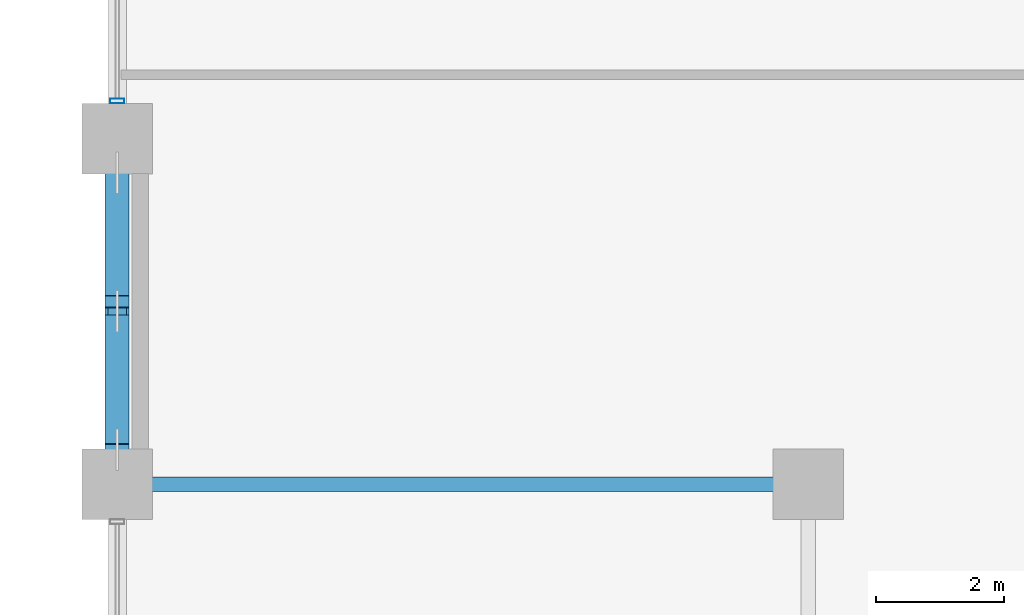
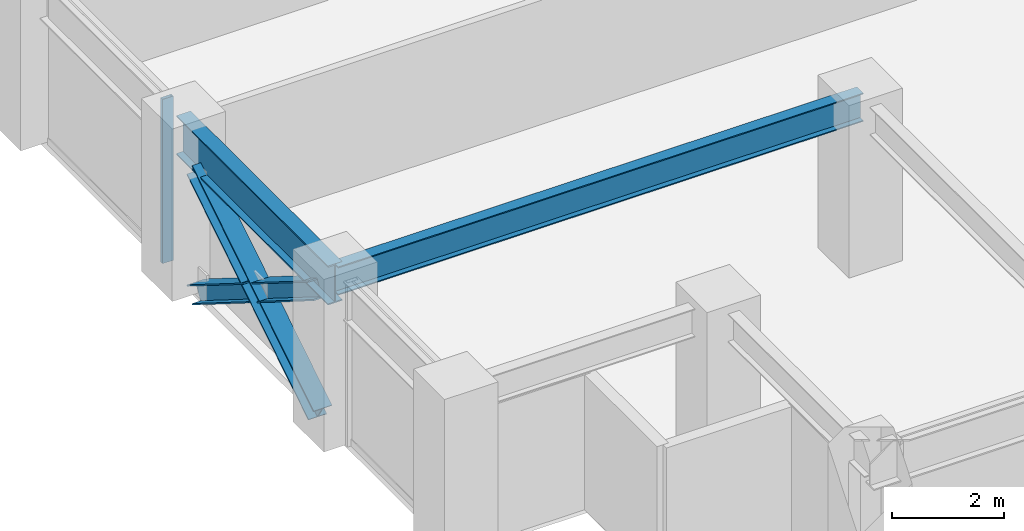
# One storey, part 3 of 26: 4 members, 2 beams, 1 element without a shape of its own.
"""IFC4 building model written with IfcOpenShell, lengths in metres."""

from ifc_helpers import new_model, si_unit, direction, frame, origin, origin_2d, place, context, subcontext, project, spatial, hollow_rectangle, i_section, extrude, material, layer, layer_set, material_profile, profile_set, type_object, element, aggregate, save


model = new_model("IFC4")

# Units and contexts
model_context = context("Model", 3, precision=1e-05, world=origin(), true_north=direction((0.0, 1.0)))
body_context = subcontext(model_context, "Body", "Model", "MODEL_VIEW")
ifc_project = project(units=[si_unit("LENGTHUNIT", "METRE"), si_unit("AREAUNIT", "SQUARE_METRE"), si_unit("VOLUMEUNIT", "CUBIC_METRE"), si_unit("PLANEANGLEUNIT", "RADIAN"), si_unit("MASSUNIT", "GRAM", prefix="KILO")], contexts=[model_context])

# Site, building, storey
site_placement = place(None, origin())
site = spatial("IfcSite", under=ifc_project, at=site_placement, CompositionType="ELEMENT")
building_placement = place(site_placement, origin())
building = spatial("IfcBuilding", under=site, at=building_placement, Name="Surkhivell Harbour Commons", CompositionType="ELEMENT")
storey_placement = place(building_placement, frame((0.0, 0.0, 102.0)))
storey = spatial("IfcBuildingStorey", under=building, at=storey_placement, Name="L26", CompositionType="ELEMENT", Elevation=102.0)

# Beams
ifc_material_1 = material(Name="Steel S355", Category="steel")
ifc_material_profile_1 = material_profile(ifc_material_1, i_section(OverallWidth=0.22998046875, OverallDepth=0.616943359375, WebThickness=0.01318359375, FlangeThickness=0.022216796875, at=origin_2d()), Name="UB610x229x140")
ifc_profile_set_1 = profile_set([ifc_material_profile_1], Name="Steel S355")
beam_type_1 = type_object("IfcBeamType", Name="BM-GRD-610B", PredefinedType="BEAM", material=ifc_profile_set_1)
beam_1_placement = place(storey_placement, frame((-32.39990234375, -16.199951171875, 3.261474609375), z_axis=(1.0, 0.0, 0.0), x_axis=(0.0, 1.0, 0.0)))
element("IfcBeam", 1, at=beam_1_placement, inside=storey, type_object=beam_type_1, Name="L26 Floor Girder (-32.4,-16.2)", PredefinedType="BEAM", context=body_context, shape_type="SweptSolid", body=[
    extrude(i_section(OverallWidth=0.22998046875, OverallDepth=0.616943359375, WebThickness=0.01318359375, FlangeThickness=0.022216796875, at=origin_2d()), origin(), (0.0, 0.0, 1.0), 10.7998046875),
])
ifc_material_2 = material(Name="Steel S460", Category="steel")
ifc_material_profile_2 = material_profile(ifc_material_2, i_section(OverallWidth=0.2939453125, OverallDepth=0.85107421875, WebThickness=0.01611328125, FlangeThickness=0.02685546875, at=origin_2d()), Name="UB838x292x226")
ifc_profile_set_2 = profile_set([ifc_material_profile_2], Name="Steel S460")
beam_type_2 = type_object("IfcBeamType", Name="BM-SPN-838", PredefinedType="SPANDREL", material=ifc_profile_set_2)
beam_2_placement = place(storey_placement, frame((-32.39990234375, -16.199951171875, 3.14453125), z_axis=(0.0, 1.0, 0.0), x_axis=(-1.0, 0.0, 0.0)))
element("IfcBeam", 2, at=beam_2_placement, inside=storey, type_object=beam_type_2, Name="L26 Tube Spandrel (-32.4,-16.2)", PredefinedType="SPANDREL", context=body_context, shape_type="SweptSolid", body=[
    extrude(i_section(OverallWidth=0.2939453125, OverallDepth=0.85107421875, WebThickness=0.01611328125, FlangeThickness=0.02685546875, at=origin_2d()), origin(), (0.0, 0.0, 1.0), 5.39990234375),
])

# Curtain wall, member
ifc_material_3 = material(Name="Anodised pale-metal aluminium and insulated glazing", Category="aluminium")
ifc_layer = layer(ifc_material_3, 0.205078125)
ifc_layer_set = layer_set([ifc_layer], Name="Anodised pale-metal aluminium and insulated glazing")
curtain_wall_type = type_object("IfcCurtainWallType", Name="CW-SYS-Z2", PredefinedType="NOTDEFINED", material=ifc_layer_set)
curtain_wall_placement = place(storey_placement, origin())
curtain_wall = element("IfcCurtainWall", 3, at=curtain_wall_placement, inside=storey, type_object=curtain_wall_type, Name="L26 Curtain Wall CW-L26-E12R1S2", PredefinedType="NOTDEFINED")
ifc_material_4 = material(Name="Anodised pale-metal aluminium alloy 6063-T6", Category="aluminium")
ifc_material_profile_3 = material_profile(ifc_material_4, hollow_rectangle(XDim=0.074951171875, YDim=0.219970703125, WallThickness=0.00390625, at=origin_2d()), Name="ALU-MULL-75x220")
ifc_profile_set_3 = profile_set([ifc_material_profile_3], Name="Anodised pale-metal aluminium alloy 6063-T6")
member_type_1 = type_object("IfcMemberType", Name="CWM-220", PredefinedType="MULLION", material=ifc_profile_set_3)
member_1_placement = place(storey_placement, frame((-32.39990234375, -10.21044921875, 0.0), z_axis=(0.0, 0.0, 1.0), x_axis=(0.0, 1.0, 0.0)))
member_1 = element("IfcMember", 4, at=member_1_placement, type_object=member_type_1, Name="CW-Z2 mullion 1", PredefinedType="MULLION", context=body_context, shape_type="SweptSolid", body=[
    extrude(hollow_rectangle(XDim=0.074951171875, YDim=0.219970703125, WallThickness=0.00390625, at=origin_2d()), origin(), (0.0, 0.0, 1.0), 3.570068359375),
])
aggregate(curtain_wall, [member_1])

# Members
ifc_material_profile_4 = material_profile(ifc_material_2, i_section(OverallWidth=0.375, OverallDepth=0.375, WebThickness=0.0166015625, FlangeThickness=0.027099609375, at=origin_2d()), Name="UC356x368x202")
ifc_profile_set_4 = profile_set([ifc_material_profile_4], Name="Steel S460")
member_type_2 = type_object("IfcMemberType", Name="MEM-BRC-UC356", PredefinedType="BRACE", material=ifc_profile_set_4)
member_2_placement = place(storey_placement, frame((-32.39990234375, -15.6650390625, 0.008056640625), z_axis=(0.0, 0.847246015888, 0.531200704594), x_axis=(-1.0, 0.0, 0.0)))
element("IfcMember", 5, at=member_2_placement, inside=storey, type_object=member_type_2, Name="L26 Perimeter Mega-Brace MB- 10", PredefinedType="BRACE", context=body_context, shape_type="SweptSolid", body=[
    extrude(i_section(OverallWidth=0.375, OverallDepth=0.375, WebThickness=0.0166015625, FlangeThickness=0.027099609375, at=origin_2d()), origin(), (0.0, 0.0, 1.0), 5.11083984375),
])
member_3_placement = place(storey_placement, frame((-32.39990234375, -11.3349609375, 0.008056640625), z_axis=(0.0, -0.847206308526, 0.53126403115), x_axis=(1.0, 0.0, 0.0)))
element("IfcMember", 6, at=member_3_placement, inside=storey, type_object=member_type_2, Name="L26 Perimeter Mega-Brace MB- 11", PredefinedType="BRACE", context=body_context, shape_type="SweptSolid", body=[
    extrude(i_section(OverallWidth=0.375, OverallDepth=0.375, WebThickness=0.0166015625, FlangeThickness=0.027099609375, at=origin_2d()), origin(), (0.0, 0.0, 1.0), 2.37548828125),
])
member_4_placement = place(storey_placement, frame((-32.39990234375, -13.652587890625, 1.461181640625), z_axis=(0.0, -0.84725256761, 0.53119025469), x_axis=(1.0, 0.0, 0.0)))
element("IfcMember", 7, at=member_4_placement, inside=storey, type_object=member_type_2, Name="L26 Perimeter Mega-Brace MB- 12", PredefinedType="BRACE", context=body_context, shape_type="SweptSolid", body=[
    extrude(i_section(OverallWidth=0.375, OverallDepth=0.375, WebThickness=0.0166015625, FlangeThickness=0.027099609375, at=origin_2d()), origin(), (0.0, 0.0, 1.0), 2.375244140625),
])

save(model, "model.ifc")
